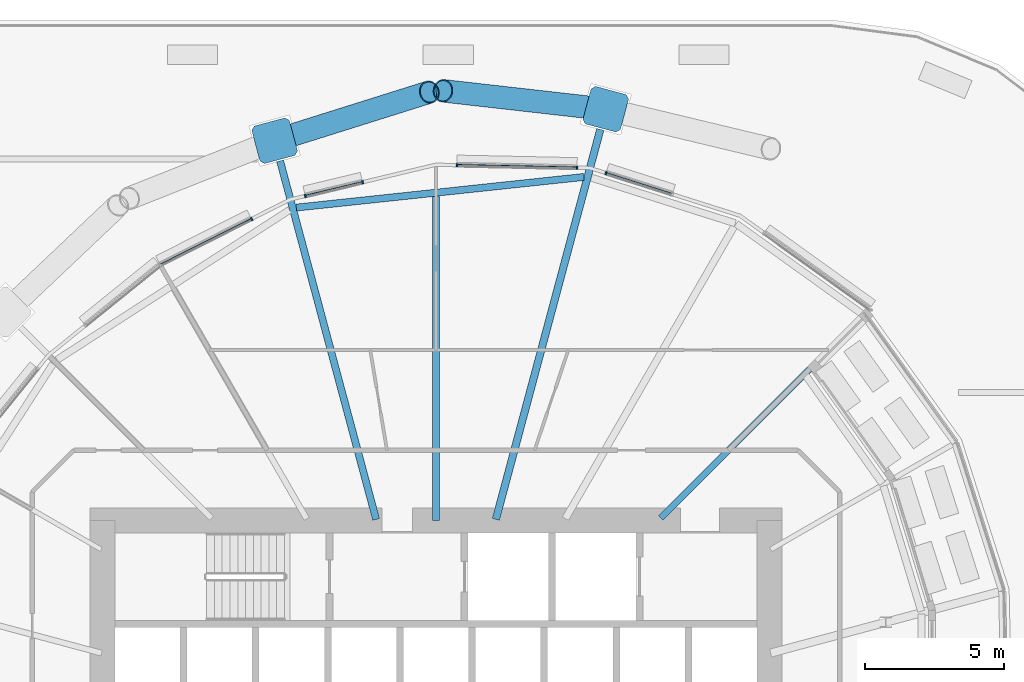
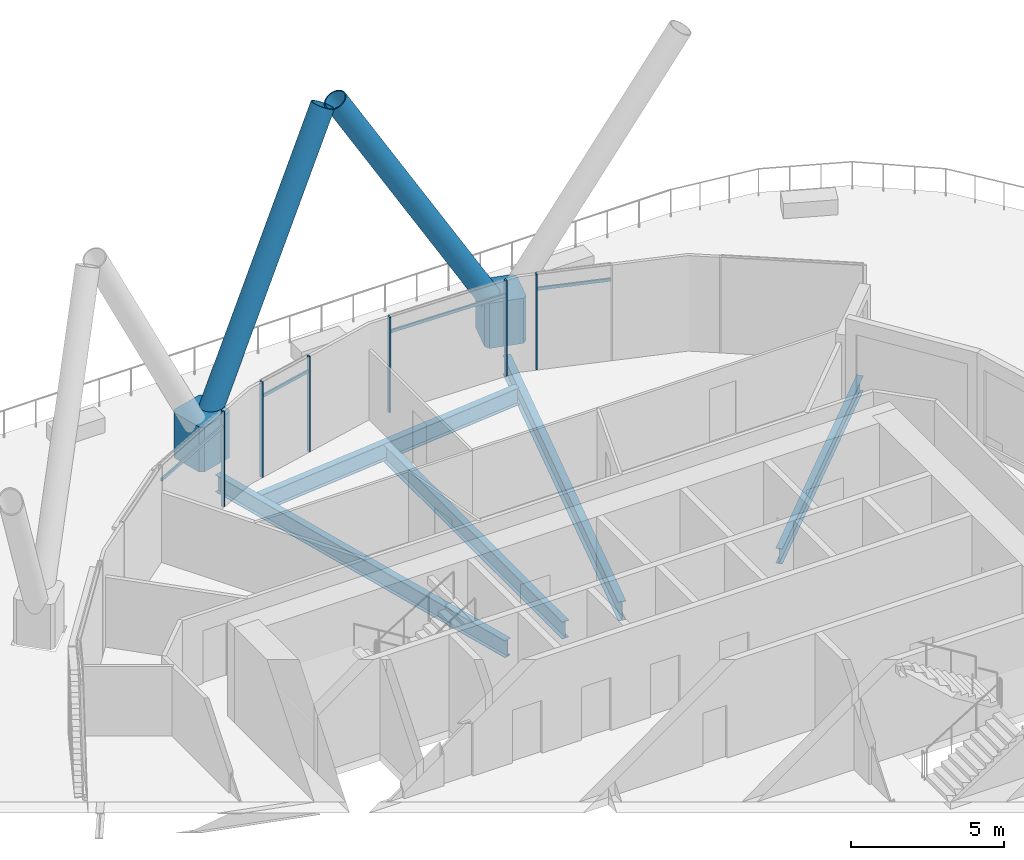
# One storey, part 19 of 47: 14 members, 5 beams, 1 element without a shape of its own.
"""IFC4 building model written with IfcOpenShell, lengths in metres."""

from ifc_helpers import new_model, si_unit, direction, frame, origin, origin_2d, place, context, subcontext, project, spatial, polyline, rectangle, hollow_circle, i_section, outline, extrude, material, material_profile, profile_set, type_object, element, aggregate, save


model = new_model("IFC4")

# Units and contexts
model_context = context("Model", 3, precision=1e-05, world=origin(), true_north=direction((0.0, 1.0)))
body_context = subcontext(model_context, "Body", "Model", "MODEL_VIEW")
ifc_project = project(units=[si_unit("LENGTHUNIT", "METRE"), si_unit("AREAUNIT", "SQUARE_METRE"), si_unit("VOLUMEUNIT", "CUBIC_METRE"), si_unit("PLANEANGLEUNIT", "RADIAN"), si_unit("MASSUNIT", "GRAM", prefix="KILO")], contexts=[model_context])

# Site, building, storey
site_placement = place(None, origin())
site = spatial("IfcSite", under=ifc_project, at=site_placement, CompositionType="ELEMENT")
building_placement = place(site_placement, origin())
building = spatial("IfcBuilding", under=site, at=building_placement, Name="Rimbun Link Towers", CompositionType="ELEMENT")
storey_placement = place(building_placement, frame((0.0, 0.0, 30.0)))
storey = spatial("IfcBuildingStorey", under=building, at=storey_placement, Name="L06", CompositionType="ELEMENT", Elevation=30.0)

# Curtain wall, members
ifc_material_1 = material(Name="Aluminium 6063-T6 and low-iron glass", Category="aluminium")
curtain_wall_type = type_object("IfcCurtainWallType", Name="CW1 unitised vision wall", PredefinedType="NOTDEFINED", material=ifc_material_1)
curtain_wall_placement = place(storey_placement, origin())
curtain_wall = element("IfcCurtainWall", 1, at=curtain_wall_placement, inside=storey, type_object=curtain_wall_type, Name="CW1 L06 T2", PredefinedType="NOTDEFINED")
ifc_material_2 = material(Name="Aluminium 6063-T6", Category="aluminium")
ifc_material_profile_1 = material_profile(ifc_material_2, rectangle(XDim=0.1201171875, YDim=0.06005859375, at=origin_2d()), Name="MULLION 60X120")
ifc_profile_set_1 = profile_set([ifc_material_profile_1], Name="Aluminium 6063-T6")
member_type_1 = type_object("IfcMemberType", Name="CW1 mullion 60X120", PredefinedType="MULLION", material=ifc_profile_set_1)
member_1_placement = place(storey_placement, frame((37.8642578125, 20.492431640625, 0.0), z_axis=(0.0, 0.0, 1.0), x_axis=(0.303073741351, 0.952967107147, 0.0)))
member_1 = element("IfcMember", 2, at=member_1_placement, type_object=member_type_1, Name="CW1 mullion", PredefinedType="MULLION", context=body_context, shape_type="SweptSolid", body=[
    extrude(rectangle(XDim=0.1201171875, YDim=0.06005859375, at=origin_2d()), origin(), (0.0, 0.0, 1.0), 3.800048828125),
])
member_2_placement = place(storey_placement, frame((32.5009765625, 20.777587890625, 0.0), z_axis=(0.0, 0.0, 1.0), x_axis=(0.021065867113, 0.999778089999, 0.0)))
member_2 = element("IfcMember", 3, at=member_2_placement, type_object=member_type_1, Name="CW1 mullion", PredefinedType="MULLION", context=body_context, shape_type="SweptSolid", body=[
    extrude(rectangle(XDim=0.1201171875, YDim=0.06005859375, at=origin_2d()), origin(), (0.0, 0.0, 1.0), 3.800048828125),
])
member_3_placement = place(storey_placement, frame((36.82568359375, 20.6865234375, 0.0), z_axis=(0.0, 0.0, 1.0), x_axis=(0.021065867113, 0.999778089999, 0.0)))
member_3 = element("IfcMember", 4, at=member_3_placement, type_object=member_type_1, Name="CW1 mullion", PredefinedType="MULLION", context=body_context, shape_type="SweptSolid", body=[
    extrude(rectangle(XDim=0.1201171875, YDim=0.06005859375, at=origin_2d()), origin(), (0.0, 0.0, 1.0), 3.800048828125),
])
member_4_placement = place(storey_placement, frame((27.050048828125, 19.671142578125, 0.0), z_axis=(0.0, 0.0, 1.0), x_axis=(-0.23261266824, 0.972569455913, 0.0)))
member_4 = element("IfcMember", 5, at=member_4_placement, type_object=member_type_1, Name="CW1 mullion", PredefinedType="MULLION", context=body_context, shape_type="SweptSolid", body=[
    extrude(rectangle(XDim=0.1201171875, YDim=0.06005859375, at=origin_2d()), origin(), (0.0, 0.0, 1.0), 3.800048828125),
])
member_5_placement = place(storey_placement, frame((29.110107421875, 20.163818359375, 0.0), z_axis=(0.0, 0.0, 1.0), x_axis=(-0.23261266824, 0.972569455913, 0.0)))
member_5 = element("IfcMember", 6, at=member_5_placement, type_object=member_type_1, Name="CW1 mullion", PredefinedType="MULLION", context=body_context, shape_type="SweptSolid", body=[
    extrude(rectangle(XDim=0.1201171875, YDim=0.06005859375, at=origin_2d()), origin(), (0.0, 0.0, 1.0), 3.800048828125),
])
member_6_placement = place(storey_placement, frame((25.116943359375, 18.8427734375, 0.0), z_axis=(0.0, 0.0, 1.0), x_axis=(-0.448773200217, 0.893645687489, 0.0)))
member_6 = element("IfcMember", 7, at=member_6_placement, type_object=member_type_1, Name="CW1 mullion", PredefinedType="MULLION", context=body_context, shape_type="SweptSolid", body=[
    extrude(rectangle(XDim=0.1201171875, YDim=0.06005859375, at=origin_2d()), origin(), (0.0, 0.0, 1.0), 3.800048828125),
])
ifc_material_3 = material(Name="Aluminium 6063-T6", Category="aluminium")
ifc_material_profile_2 = material_profile(ifc_material_3, rectangle(XDim=0.06005859375, YDim=0.1201171875, at=origin_2d()), Name="TRANSOM 60X120")
ifc_profile_set_2 = profile_set([ifc_material_profile_2], Name="Aluminium 6063-T6")
member_type_2 = type_object("IfcMemberType", Name="CW1 transom 60X120", PredefinedType="USERDEFINED", material=ifc_profile_set_2)
member_7_placement = place(storey_placement, frame((37.892333984375, 20.4814453125, 3.199951171875), z_axis=(0.952955932815, -0.303108875016, 0.0), x_axis=(0.303108875016, 0.952955932815, 0.0)))
member_7 = element("IfcMember", 8, at=member_7_placement, type_object=member_type_2, Name="CW1 transom", ObjectType="TRANSOM", PredefinedType="USERDEFINED", context=body_context, shape_type="SweptSolid", body=[
    extrude(rectangle(XDim=0.06005859375, YDim=0.1201171875, at=origin_2d()), origin(), (0.0, 0.0, 1.0), 2.4453125),
])
member_8_placement = place(storey_placement, frame((32.531005859375, 20.775146484375, 3.199951171875), z_axis=(0.999778162612, -0.021062420646, 0.0), x_axis=(0.021062420646, 0.999778162612, 0.0)))
member_8 = element("IfcMember", 9, at=member_8_placement, type_object=member_type_2, Name="CW1 transom", ObjectType="TRANSOM", PredefinedType="USERDEFINED", context=body_context, shape_type="SweptSolid", body=[
    extrude(rectangle(XDim=0.06005859375, YDim=0.1201171875, at=origin_2d()), origin(), (0.0, 0.0, 1.0), 4.265625),
])
member_9_placement = place(storey_placement, frame((27.07958984375, 19.676025390625, 3.199951171875), z_axis=(0.972568974802, 0.232614679789, 0.0), x_axis=(-0.232614679789, 0.972568974802, 0.0)))
member_9 = element("IfcMember", 10, at=member_9_placement, type_object=member_type_2, Name="CW1 transom", ObjectType="TRANSOM", PredefinedType="USERDEFINED", context=body_context, shape_type="SweptSolid", body=[
    extrude(rectangle(XDim=0.06005859375, YDim=0.1201171875, at=origin_2d()), origin(), (0.0, 0.0, 1.0), 2.05810546875),
])
member_10_placement = place(storey_placement, frame((21.856201171875, 17.203125, 3.199951171875), z_axis=(0.893643462772, 0.448777630286, 0.0), x_axis=(-0.448777630286, 0.893643462772, 0.0)))
member_10 = element("IfcMember", 11, at=member_10_placement, type_object=member_type_2, Name="CW1 transom", ObjectType="TRANSOM", PredefinedType="USERDEFINED", context=body_context, shape_type="SweptSolid", body=[
    extrude(rectangle(XDim=0.06005859375, YDim=0.1201171875, at=origin_2d()), origin(), (0.0, 0.0, 1.0), 3.619873046875),
])
aggregate(curtain_wall, [member_1, member_2, member_3, member_4, member_5, member_6, member_7, member_8, member_9, member_10])

# Members
ifc_material_4 = material(Name="Steel S460NH", Category="steel")
ifc_material_profile_3 = material_profile(ifc_material_4, hollow_circle(Radius=0.406494140625, WallThickness=0.0400390625, at=origin_2d()), Name="Diagrid diagonal CHS 813x40")
ifc_profile_set_3 = profile_set([ifc_material_profile_3], Name="Steel S460NH")
member_type_3 = type_object("IfcMemberType", Name="Diagrid diagonal CHS 813x40", PredefinedType="BRACE", material=ifc_profile_set_3)
member_11_placement = place(storey_placement, frame((37.605712890625, 22.81884765625, 1.33154296875), z_axis=(-0.501931567792, 0.056846368265, 0.863037190201), x_axis=(-0.112535782088, -0.993647672845, 0.0)))
element("IfcMember", 12, at=member_11_placement, inside=storey, type_object=member_type_3, Name="Diagrid diagonal T2 L06-L09 02b", PredefinedType="BRACE", context=body_context, shape_type="SweptSolid", body=[
    extrude(hollow_circle(Radius=0.406494140625, WallThickness=0.0400390625, at=origin_2d()), origin(), (0.0, 0.0, 1.0), 11.166259765625),
])
member_12_placement = place(storey_placement, frame((26.185791015625, 21.7333984375, 1.33251953125), z_axis=(0.478242728884, 0.150278546844, 0.865274667737), x_axis=(-0.299778829236, 0.954008728231, 0.0)))
element("IfcMember", 13, at=member_12_placement, inside=storey, type_object=member_type_3, Name="Diagrid diagonal T2 L06-L09 04a", PredefinedType="BRACE", context=body_context, shape_type="SweptSolid", body=[
    extrude(hollow_circle(Radius=0.406494140625, WallThickness=0.0400390625, at=origin_2d()), origin(), (0.0, 0.0, 1.0), 11.135009765625),
])
ifc_material_5 = material(Name="Cast steel G20Mn5+QT, Rp0.2 300 MPa", Category="steel")
ifc_material_profile_4 = material_profile(ifc_material_5, outline(polyline([(0.699951171875, -0.570068359375), (0.699951171875, 0.570068359375), (0.570068359375, 0.699951171875), (-0.570068359375, 0.699951171875), (-0.699951171875, 0.570068359375), (-0.699951171875, -0.570068359375), (-0.570068359375, -0.699951171875), (0.570068359375, -0.699951171875), (0.699951171875, -0.570068359375)])), Name="NODE 1400x1400")
ifc_profile_set_4 = profile_set([ifc_material_profile_4], Name="Cast steel G20Mn5+QT, Rp0.2 300 MPa")
member_type_4 = type_object("IfcMemberType", Name="Diagrid node cast 1400", PredefinedType="USERDEFINED", material=ifc_profile_set_4)
for number, where, z_axis, x_axis, name in (
    (14, (37.856689453125, 22.790283203125, 0.0), (0.0, 0.0, 1.0), (0.258819045103, 0.965925826289, 0.0), "Diagrid node L06 02"),
    (15, (25.94677734375, 21.658203125, 0.0), (0.0, 0.0, 1.0), (-0.258819045103, 0.965925826289, 0.0), "Diagrid node L06 04"),
):
    element("IfcMember", number, at=place(storey_placement, frame(where, z_axis=z_axis, x_axis=x_axis)), inside=storey, type_object=member_type_4, Name=name, ObjectType="Diagrid node", PredefinedType="USERDEFINED", context=body_context, shape_type="SweptSolid", body=[
        extrude(outline(polyline([(0.699951171875, -0.570068359375), (0.699951171875, 0.570068359375), (0.570068359375, 0.699951171875), (-0.570068359375, 0.699951171875), (-0.699951171875, 0.570068359375), (-0.699951171875, -0.570068359375), (-0.570068359375, -0.699951171875), (0.570068359375, -0.699951171875), (0.699951171875, -0.570068359375)])), origin(), (0.0, 0.0, 1.0), 1.800048828125),
    ])

# Beams
ifc_material_6 = material(Name="Steel S355J2", Category="steel")
ifc_material_profile_5 = material_profile(ifc_material_6, i_section(OverallWidth=0.2275390625, OverallDepth=0.6025390625, WebThickness=0.010498046875, FlangeThickness=0.014892578125, at=origin_2d()), Name="UB 610x229x101")
ifc_profile_set_5 = profile_set([ifc_material_profile_5], Name="Steel S355J2")
beam_type_1 = type_object("IfcBeamType", Name="UB 610x229x101", PredefinedType="BEAM", material=ifc_profile_set_5)
beam_1_placement = place(storey_placement, frame((39.831298828125, 8.081298828125, -0.601318359375), z_axis=(0.707106781187, 0.707106781187, 0.0), x_axis=(-0.707106781187, 0.707106781187, 0.0)))
element("IfcBeam", 16, at=beam_1_placement, inside=storey, type_object=beam_type_1, Name="Radial beam T2 L06 00", PredefinedType="BEAM", context=body_context, shape_type="SweptSolid", body=[
    extrude(i_section(OverallWidth=0.2275390625, OverallDepth=0.6025390625, WebThickness=0.010498046875, FlangeThickness=0.014892578125, at=origin_2d()), origin(), (0.0, 0.0, 1.0), 10.20263671875),
])
ifc_material_7 = material(Name="Steel S355J2", Category="steel")
ifc_material_profile_6 = material_profile(ifc_material_7, i_section(OverallWidth=0.253662109375, OverallDepth=0.68359375, WebThickness=0.012451171875, FlangeThickness=0.01904296875, at=origin_2d()), Name="UB 686x254x140")
ifc_profile_set_6 = profile_set([ifc_material_profile_6], Name="Steel S355J2")
beam_type_2 = type_object("IfcBeamType", Name="UB 686x254x140", PredefinedType="BEAM", material=ifc_profile_set_6)
beam_2_placement = place(storey_placement, frame((31.75, 8.0009765625, -0.641845703125), z_axis=(0.0, 1.0, 0.0), x_axis=(-1.0, 0.0, 0.0)))
element("IfcBeam", 17, at=beam_2_placement, inside=storey, type_object=beam_type_2, Name="Radial beam T2 L06 03", PredefinedType="BEAM", context=body_context, shape_type="SweptSolid", body=[
    extrude(i_section(OverallWidth=0.253662109375, OverallDepth=0.68359375, WebThickness=0.012451171875, FlangeThickness=0.01904296875, at=origin_2d()), origin(), (0.0, 0.0, 1.0), 11.65771484375),
])
beam_3_placement = place(storey_placement, frame((29.597412109375, 8.03369140625, -0.641845703125), z_axis=(-0.258816190288, 0.96592659123, 0.0), x_axis=(-0.96592659123, -0.258816190288, 0.0)))
element("IfcBeam", 18, at=beam_3_placement, inside=storey, type_object=beam_type_2, Name="Radial beam T2 L06 04", PredefinedType="BEAM", context=body_context, shape_type="SweptSolid", body=[
    extrude(i_section(OverallWidth=0.253662109375, OverallDepth=0.68359375, WebThickness=0.012451171875, FlangeThickness=0.01904296875, at=origin_2d()), origin(), (0.0, 0.0, 1.0), 13.355224609375),
])
beam_4_placement = place(storey_placement, frame((37.064697265625, 20.353271484375, -0.641845703125), z_axis=(-0.994376453373, -0.105903111275, 0.0), x_axis=(0.105903111275, -0.994376453373, 0.0)))
element("IfcBeam", 19, at=beam_4_placement, inside=storey, type_object=beam_type_2, Name="Edge beam T2 L06 02-04", PredefinedType="BEAM", context=body_context, shape_type="SweptSolid", body=[
    extrude(i_section(OverallWidth=0.253662109375, OverallDepth=0.68359375, WebThickness=0.012451171875, FlangeThickness=0.01904296875, at=origin_2d()), origin(), (0.0, 0.0, 1.0), 10.3994140625),
])
ifc_material_8 = material(Name="Steel S355J2", Category="steel")
ifc_material_profile_7 = material_profile(ifc_material_8, i_section(OverallWidth=0.2666015625, OverallDepth=0.76220703125, WebThickness=0.014404296875, FlangeThickness=0.021484375, at=origin_2d()), Name="UB 762x267x173")
ifc_profile_set_7 = profile_set([ifc_material_profile_7], Name="Steel S355J2")
beam_type_3 = type_object("IfcBeamType", Name="UB 762x267x173", PredefinedType="BEAM", material=ifc_profile_set_7)
beam_5_placement = place(storey_placement, frame((33.903076171875, 8.035400390625, -0.68115234375), z_axis=(0.25882261837, 0.965924868828, 0.0), x_axis=(-0.965924868828, 0.25882261837, 0.0)))
element("IfcBeam", 20, at=beam_5_placement, inside=storey, type_object=beam_type_3, Name="Radial beam T2 L06 02", PredefinedType="BEAM", context=body_context, shape_type="SweptSolid", body=[
    extrude(i_section(OverallWidth=0.2666015625, OverallDepth=0.76220703125, WebThickness=0.014404296875, FlangeThickness=0.021484375, at=origin_2d()), origin(), (0.0, 0.0, 1.0), 14.525390625),
])

save(model, "model.ifc")
